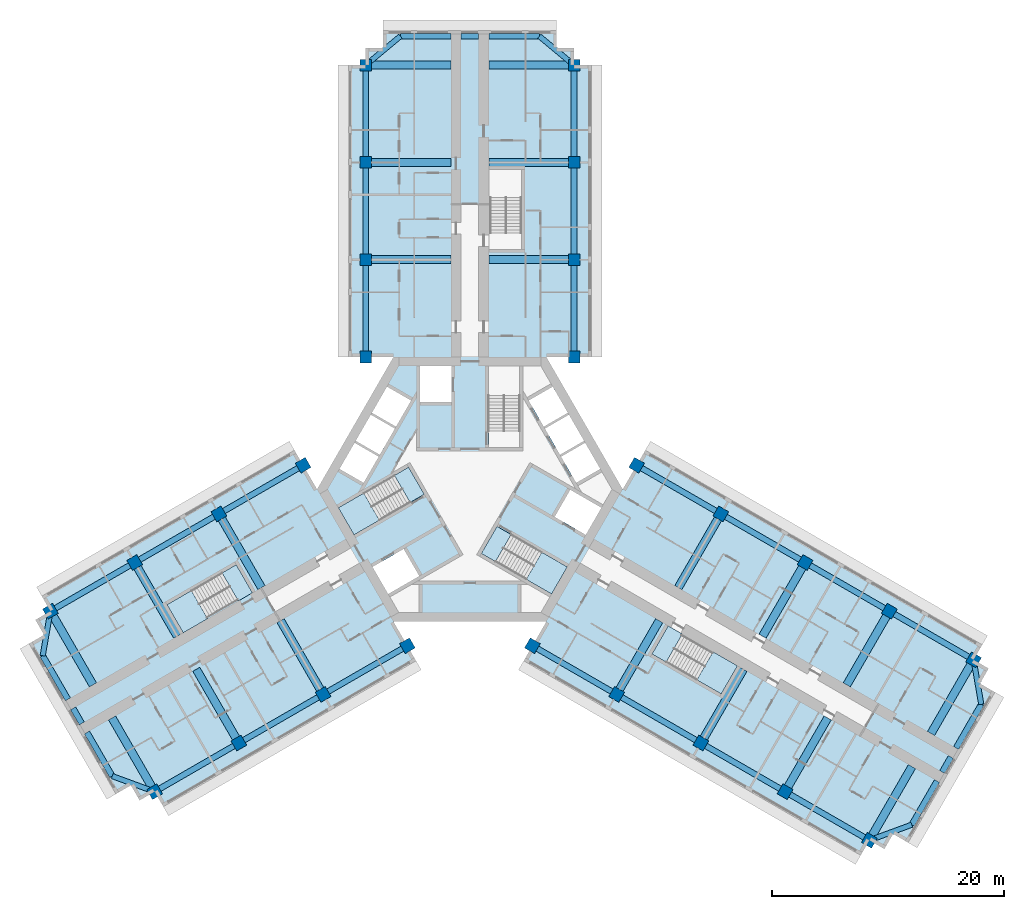
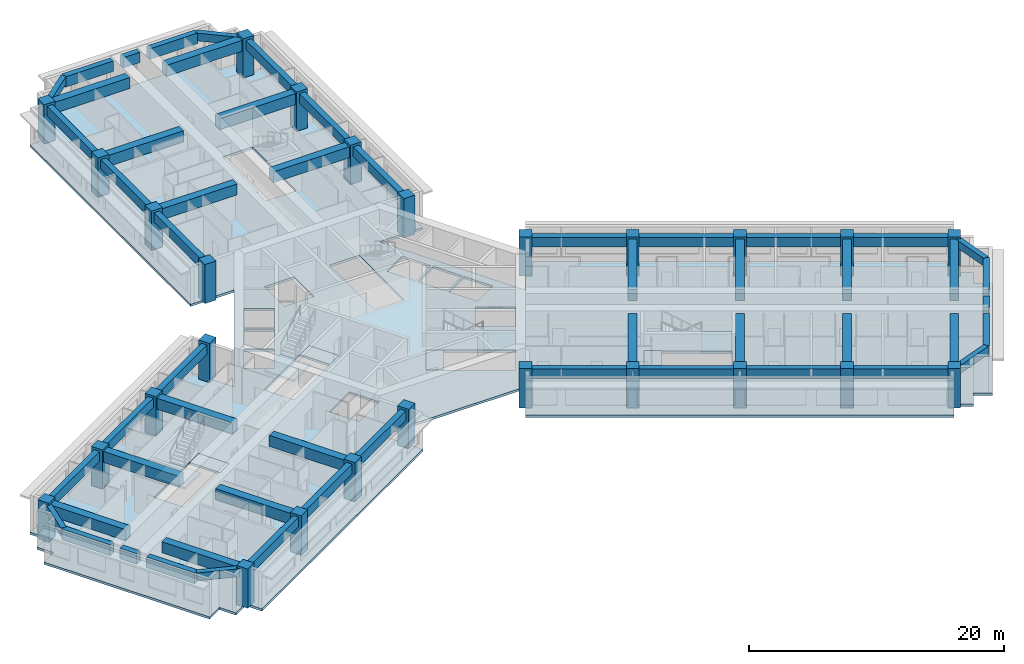
# One storey, part 1 of 13: 55 beams, 26 columns, 9 slabs, 4 elements without a shape of their own.
"""IFC4 building model written with IfcOpenShell, lengths in metres."""

from ifc_helpers import new_model, si_unit, direction, frame, origin, origin_2d, place, context, subcontext, project, spatial, polyline, rectangle, outline, extrude, material, layer, layer_set, material_profile, profile_set, type_object, element, aggregate, save


model = new_model("IFC4")

# Units and contexts
model_context = context("Model", 3, precision=1e-05, world=origin(), true_north=direction((0.0, 1.0)))
body_context = subcontext(model_context, "Body", "Model", "MODEL_VIEW")
ifc_project = project(units=[si_unit("LENGTHUNIT", "METRE"), si_unit("AREAUNIT", "SQUARE_METRE"), si_unit("VOLUMEUNIT", "CUBIC_METRE"), si_unit("PLANEANGLEUNIT", "RADIAN"), si_unit("MASSUNIT", "GRAM", prefix="KILO")], contexts=[model_context])

# Site, building, storey
site_placement = place(None, origin())
site = spatial("IfcSite", under=ifc_project, at=site_placement, CompositionType="ELEMENT")
building_placement = place(site_placement, origin())
building = spatial("IfcBuilding", under=site, at=building_placement, Name="Impinga Residences", CompositionType="ELEMENT")
storey_placement = place(building_placement, frame((0.0, 0.0, 139.75)))
storey = spatial("IfcBuildingStorey", under=building, at=storey_placement, Name="L34", CompositionType="ELEMENT", Elevation=139.75)

# Columns
ifc_material_1 = material(Name="Concrete C60/75", Category="concrete")
ifc_material_profile_1 = material_profile(ifc_material_1, rectangle(XDim=1.0, YDim=1.0, at=origin_2d()), Name="RC 1000x1000")
ifc_profile_set_1 = profile_set([ifc_material_profile_1], Name="Concrete C60/75")
column_type = type_object("IfcColumnType", Name="C3 1000x1000 column", PredefinedType="COLUMN", material=ifc_profile_set_1)
for number, where, z_axis, x_axis, name in (
    (1, (-9.0, 11.431640625, 0.0), (0.0, 0.0, 1.0), (1.0, 0.0, 0.0), "Column C3 N1/NA L34"),
    (2, (9.0, 11.431640625, 0.0), (0.0, 0.0, 1.0), (1.0, 0.0, 0.0), "Column C3 N1/NF L34"),
    (3, (-9.0, 19.83154296875, 0.0), (0.0, 0.0, 1.0), (1.0, 0.0, 0.0), "Column C3 N2/NA L34"),
    (4, (9.0, 19.83154296875, 0.0), (0.0, 0.0, 1.0), (1.0, 0.0, 0.0), "Column C3 N2/NF L34"),
    (5, (-9.0, 28.2314453125, 0.0), (0.0, 0.0, 1.0), (1.0, 0.0, 0.0), "Column C3 N3/NA L34"),
    (6, (9.0, 28.2314453125, 0.0), (0.0, 0.0, 1.0), (1.0, 0.0, 0.0), "Column C3 N3/NF L34"),
    (7, (-9.0, 36.631591796875, 0.0), (0.0, 0.0, 1.0), (1.0, 0.0, 0.0), "Column C3 N4/NA L34"),
    (8, (9.0, 36.631591796875, 0.0), (0.0, 0.0, 1.0), (1.0, 0.0, 0.0), "Column C3 N4/NF L34"),
    (9, (-5.39990234375, -13.510009765625, 0.0), (0.0, 0.0, 1.0), (-0.5, 0.866025403784, 0.0), "Column C3 W1/WA L34"),
    (10, (-14.39990234375, 2.078369140625, 0.0), (0.0, 0.0, 1.0), (-0.5, 0.866025403784, 0.0), "Column C3 W1/WF L34"),
    (11, (-12.674560546875, -17.7099609375, 0.0), (0.0, 0.0, 1.0), (-0.5, 0.866025403784, 0.0), "Column C3 W2/WA L34"),
    (12, (-21.674560546875, -2.12158203125, 0.0), (0.0, 0.0, 1.0), (-0.5, 0.866025403784, 0.0), "Column C3 W2/WF L34"),
    (13, (-19.94921875, -21.909912109375, 0.0), (0.0, 0.0, 1.0), (-0.5, 0.866025403784, 0.0), "Column C3 W3/WA L34"),
    (14, (-28.94921875, -6.321533203125, 0.0), (0.0, 0.0, 1.0), (-0.5, 0.866025403784, 0.0), "Column C3 W3/WF L34"),
    (15, (-27.223876953125, -26.110107421875, 0.0), (0.0, 0.0, 1.0), (-0.5, 0.866025403784, 0.0), "Column C3 W4/WA L34"),
    (16, (-36.223876953125, -10.521484375, 0.0), (0.0, 0.0, 1.0), (-0.5, 0.866025403784, 0.0), "Column C3 W4/WF L34"),
    (17, (14.39990234375, 2.078369140625, 0.0), (0.0, 0.0, 1.0), (-0.5, -0.866025403784, 0.0), "Column C3 E1/EA L34"),
    (18, (5.39990234375, -13.510009765625, 0.0), (0.0, 0.0, 1.0), (-0.5, -0.866025403784, 0.0), "Column C3 E1/EF L34"),
    (19, (21.674560546875, -2.12158203125, 0.0), (0.0, 0.0, 1.0), (-0.5, -0.866025403784, 0.0), "Column C3 E2/EA L34"),
    (20, (12.674560546875, -17.7099609375, 0.0), (0.0, 0.0, 1.0), (-0.5, -0.866025403784, 0.0), "Column C3 E2/EF L34"),
    (21, (28.94921875, -6.321533203125, 0.0), (0.0, 0.0, 1.0), (-0.5, -0.866025403784, 0.0), "Column C3 E3/EA L34"),
    (22, (19.94921875, -21.909912109375, 0.0), (0.0, 0.0, 1.0), (-0.5, -0.866025403784, 0.0), "Column C3 E3/EF L34"),
    (23, (36.223876953125, -10.521484375, 0.0), (0.0, 0.0, 1.0), (-0.5, -0.866025403784, 0.0), "Column C3 E4/EA L34"),
    (24, (27.223876953125, -26.110107421875, 0.0), (0.0, 0.0, 1.0), (-0.5, -0.866025403784, 0.0), "Column C3 E4/EF L34"),
    (25, (43.49853515625, -14.721435546875, 0.0), (0.0, 0.0, 1.0), (-0.5, -0.866025403784, 0.0), "Column C3 E5/EA L34"),
    (26, (34.49853515625, -30.31005859375, 0.0), (0.0, 0.0, 1.0), (-0.5, -0.866025403784, 0.0), "Column C3 E5/EF L34"),
):
    element("IfcColumn", number, at=place(storey_placement, frame(where, z_axis=z_axis, x_axis=x_axis)), inside=storey, type_object=column_type, Name=name, PredefinedType="COLUMN", context=body_context, shape_type="SweptSolid", body=[
        extrude(rectangle(XDim=1.0, YDim=1.0, at=origin_2d()), origin(), (0.0, 0.0, 1.0), 3.75),
    ])

# Beams
ifc_material_profile_2 = material_profile(ifc_material_1, rectangle(XDim=0.449951171875, YDim=0.75, at=origin_2d()), Name="RC 450x750")
ifc_profile_set_2 = profile_set([ifc_material_profile_2], Name="Concrete C60/75")
beam_type_1 = type_object("IfcBeamType", Name="CB1 450x750 wing end cantilever beam", PredefinedType="BEAM", material=ifc_profile_set_2)
for number, where, z_axis, x_axis, name in (
    (27, (-9.0, 36.631591796875, 3.155029296875), (0.768221279597, 0.640184399664, 0.0), (-0.640184399664, 0.768221279597, 0.0), "Beam CB1 NB N4-NX level L35"),
    (28, (9.0, 36.631591796875, 3.155029296875), (-0.768221279597, 0.640184399664, 0.0), (-0.640184399664, -0.768221279597, 0.0), "Beam CB1 NE N4-NX level L35"),
    (29, (-27.223876953125, -26.110107421875, 3.155029296875), (-0.938520178725, 0.345224382289, 0.0), (-0.345224382289, -0.938520178725, 0.0), "Beam CB1 WB W4-WX level L35"),
):
    element("IfcBeam", number, at=place(storey_placement, frame(where, z_axis=z_axis, x_axis=x_axis)), inside=storey, type_object=beam_type_1, Name=name, PredefinedType="BEAM", context=body_context, shape_type="SweptSolid", body=[
        extrude(rectangle(XDim=0.449951171875, YDim=0.75, at=origin_2d()), origin(), (0.0, 0.0, 1.0), 3.905029296875),
    ])
for number, where, z_axis, x_axis, name in (
    (30, (-36.223876953125, -10.521484375, 3.155029296875), (-0.170296298948, -0.985392901621, 0.0), (0.985392901621, -0.170296298948, 0.0), "Beam CB1 WE W4-WX level L35"),
    (31, (43.49853515625, -14.721435546875, 3.155029296875), (0.170296298948, -0.985392901621, 0.0), (0.985392901621, 0.170296298948, 0.0), "Beam CB1 EB E5-EX level L35"),
):
    element("IfcBeam", number, at=place(storey_placement, frame(where, z_axis=z_axis, x_axis=x_axis)), inside=storey, type_object=beam_type_1, Name=name, PredefinedType="BEAM", context=body_context, shape_type="SweptSolid", body=[
        extrude(rectangle(XDim=0.449951171875, YDim=0.75, at=origin_2d()), origin(), (0.0, 0.0, 1.0), 3.9052734375),
    ])
beam_1_placement = place(storey_placement, frame((34.49853515625, -30.31005859375, 3.155029296875), z_axis=(0.938520178725, 0.345224382289, 0.0), x_axis=(-0.345224382289, 0.938520178725, 0.0)))
element("IfcBeam", 32, at=beam_1_placement, inside=storey, type_object=beam_type_1, Name="Beam CB1 EE E5-EX level L35", PredefinedType="BEAM", context=body_context, shape_type="SweptSolid", body=[
    extrude(rectangle(XDim=0.449951171875, YDim=0.75, at=origin_2d()), origin(), (0.0, 0.0, 1.0), 3.905029296875),
])
ifc_material_profile_3 = material_profile(ifc_material_1, rectangle(XDim=0.699951171875, YDim=1.050048828125, at=origin_2d()), Name="RC 700x1050")
ifc_profile_set_3 = profile_set([ifc_material_profile_3], Name="Concrete C60/75")
beam_type_2 = type_object("IfcBeamType", Name="CG1 700x1050 cross girder on a wing bay line", PredefinedType="BEAM", material=ifc_profile_set_3)
for number, where, z_axis, x_axis, name in (
    (33, (-1.64990234375, 19.83154296875, 3.0048828125), (-1.0, 0.0, 0.0), (0.0, -1.0, 0.0), "Beam CG1 N2 NC/NA level L35"),
    (34, (-1.64990234375, 28.2314453125, 3.0048828125), (-1.0, 0.0, 0.0), (0.0, -1.0, 0.0), "Beam CG1 N3 NC/NA level L35"),
    (35, (-1.64990234375, 36.631591796875, 3.0048828125), (-1.0, 0.0, 0.0), (0.0, -1.0, 0.0), "Beam CG1 N4 NC/NA level L35"),
    (36, (1.64990234375, 19.83154296875, 3.0048828125), (1.0, 0.0, 0.0), (0.0, 1.0, 0.0), "Beam CG1 N2 NC/NF level L35"),
    (37, (1.64990234375, 28.2314453125, 3.0048828125), (1.0, 0.0, 0.0), (0.0, 1.0, 0.0), "Beam CG1 N3 NC/NF level L35"),
    (38, (1.64990234375, 36.631591796875, 3.0048828125), (1.0, 0.0, 0.0), (0.0, 1.0, 0.0), "Beam CG1 N4 NC/NF level L35"),
    (39, (-16.349609375, -11.3447265625, 3.0048828125), (0.500008066151, -0.86602074674, 0.0), (0.86602074674, 0.500008066151, 0.0), "Beam CG1 W2 WC/WA level L35"),
    (40, (-23.624267578125, -15.544677734375, 3.0048828125), (0.500008066151, -0.86602074674, 0.0), (0.86602074674, 0.500008066151, 0.0), "Beam CG1 W3 WC/WA level L35"),
    (41, (-30.89892578125, -19.74462890625, 3.0048828125), (0.499993683172, -0.866029050776, 0.0), (0.866029050776, 0.499993683172, 0.0), "Beam CG1 W4 WC/WA level L35"),
    (42, (-17.99951171875, -8.48681640625, 3.0048828125), (-0.500008066151, 0.86602074674, 0.0), (-0.86602074674, -0.500008066151, 0.0), "Beam CG1 W2 WC/WF level L35"),
    (43, (-25.274169921875, -12.686767578125, 3.0048828125), (-0.500008066151, 0.86602074674, 0.0), (-0.86602074674, -0.500008066151, 0.0), "Beam CG1 W3 WC/WF level L35"),
    (44, (-32.548828125, -16.88671875, 3.0048828125), (-0.500008066151, 0.86602074674, 0.0), (-0.86602074674, -0.500008066151, 0.0), "Beam CG1 W4 WC/WF level L35"),
    (45, (17.99951171875, -8.48681640625, 3.0048828125), (0.500008066151, 0.86602074674, 0.0), (-0.86602074674, 0.500008066151, 0.0), "Beam CG1 E2 EC/EA level L35"),
    (46, (25.274169921875, -12.686767578125, 3.0048828125), (0.500008066151, 0.86602074674, 0.0), (-0.86602074674, 0.500008066151, 0.0), "Beam CG1 E3 EC/EA level L35"),
    (47, (32.548828125, -16.88671875, 3.0048828125), (0.500008066151, 0.86602074674, 0.0), (-0.86602074674, 0.500008066151, 0.0), "Beam CG1 E4 EC/EA level L35"),
    (48, (39.823486328125, -21.0869140625, 3.0048828125), (0.499993683172, 0.866029050776, 0.0), (-0.866029050776, 0.499993683172, 0.0), "Beam CG1 E5 EC/EA level L35"),
    (49, (16.349609375, -11.3447265625, 3.0048828125), (-0.500008066151, -0.86602074674, 0.0), (0.86602074674, -0.500008066151, 0.0), "Beam CG1 E2 EC/EF level L35"),
    (50, (23.624267578125, -15.544677734375, 3.0048828125), (-0.500008066151, -0.86602074674, 0.0), (0.86602074674, -0.500008066151, 0.0), "Beam CG1 E3 EC/EF level L35"),
    (51, (30.89892578125, -19.74462890625, 3.0048828125), (-0.499993683172, -0.866029050776, 0.0), (0.866029050776, -0.499993683172, 0.0), "Beam CG1 E4 EC/EF level L35"),
):
    element("IfcBeam", number, at=place(storey_placement, frame(where, z_axis=z_axis, x_axis=x_axis)), inside=storey, type_object=beam_type_2, Name=name, PredefinedType="BEAM", context=body_context, shape_type="SweptSolid", body=[
        extrude(rectangle(XDim=0.699951171875, YDim=1.050048828125, at=origin_2d()), origin(), (0.0, 0.0, 1.0), 7.35009765625),
    ])
beam_2_placement = place(storey_placement, frame((38.17333984375, -23.94482421875, 3.0048828125), z_axis=(-0.499983153418, -0.866035129944, 0.0), x_axis=(0.866035129944, -0.499983153418, 0.0)))
element("IfcBeam", 52, at=beam_2_placement, inside=storey, type_object=beam_type_2, Name="Beam CG1 E5 EC/EF level L35", PredefinedType="BEAM", context=body_context, shape_type="SweptSolid", body=[
    extrude(rectangle(XDim=0.699951171875, YDim=1.050048828125, at=origin_2d()), origin(), (0.0, 0.0, 1.0), 7.349853515625),
])
ifc_material_profile_4 = material_profile(ifc_material_1, rectangle(XDim=0.5, YDim=1.0, at=origin_2d()), Name="RC 500x1000")
ifc_profile_set_4 = profile_set([ifc_material_profile_4], Name="Concrete C60/75")
beam_type_3 = type_object("IfcBeamType", Name="EB1 500x1000 wing end beam", PredefinedType="BEAM", material=ifc_profile_set_4)
beam_3_placement = place(storey_placement, frame((-6.0, 39.131591796875, 3.030029296875), z_axis=(1.0, 0.0, 0.0), x_axis=(0.0, 1.0, 0.0)))
element("IfcBeam", 53, at=beam_3_placement, inside=storey, type_object=beam_type_3, Name="Beam EB1 NX3 level L35", PredefinedType="BEAM", context=body_context, shape_type="SweptSolid", body=[
    extrude(rectangle(XDim=0.5, YDim=1.0, at=origin_2d()), origin(), (0.0, 0.0, 1.0), 4.35009765625),
])
beam_4_placement = place(storey_placement, frame((-0.75, 39.131591796875, 3.030029296875), z_axis=(1.0, 0.0, 0.0), x_axis=(0.0, 1.0, 0.0)))
element("IfcBeam", 54, at=beam_4_placement, inside=storey, type_object=beam_type_3, Name="Beam EB1 NX3 level L35", PredefinedType="BEAM", context=body_context, shape_type="SweptSolid", body=[
    extrude(rectangle(XDim=0.5, YDim=1.0, at=origin_2d()), origin(), (0.0, 0.0, 1.0), 1.5),
])
for number, where, z_axis, x_axis, name in (
    (55, (1.64990234375, 39.131591796875, 3.030029296875), (1.0, 0.0, 0.0), (0.0, 1.0, 0.0), "Beam EB1 NX3 level L35"),
    (56, (-30.888916015625, -24.761962890625, 3.030029296875), (-0.499996127374, 0.866027639635, 0.0), (-0.866027639635, -0.499996127374, 0.0), "Beam EB1 WX3 level L35"),
):
    element("IfcBeam", number, at=place(storey_placement, frame(where, z_axis=z_axis, x_axis=x_axis)), inside=storey, type_object=beam_type_3, Name=name, PredefinedType="BEAM", context=body_context, shape_type="SweptSolid", body=[
        extrude(rectangle(XDim=0.5, YDim=1.0, at=origin_2d()), origin(), (0.0, 0.0, 1.0), 4.35009765625),
    ])
beam_5_placement = place(storey_placement, frame((-33.513916015625, -20.21533203125, 3.030029296875), z_axis=(-0.499990139034, 0.866031096941, 0.0), x_axis=(-0.866031096941, -0.499990139034, 0.0)))
element("IfcBeam", 57, at=beam_5_placement, inside=storey, type_object=beam_type_3, Name="Beam EB1 WX3 level L35", PredefinedType="BEAM", context=body_context, shape_type="SweptSolid", body=[
    extrude(rectangle(XDim=0.5, YDim=1.0, at=origin_2d()), origin(), (0.0, 0.0, 1.0), 1.5),
])
beam_6_placement = place(storey_placement, frame((-34.7138671875, -18.13671875, 3.030029296875), z_axis=(-0.500020430026, 0.866013608182, 0.0), x_axis=(-0.866013608182, -0.500020430026, 0.0)))
element("IfcBeam", 58, at=beam_6_placement, inside=storey, type_object=beam_type_3, Name="Beam EB1 WX3 level L35", PredefinedType="BEAM", context=body_context, shape_type="SweptSolid", body=[
    extrude(rectangle(XDim=0.5, YDim=1.0, at=origin_2d()), origin(), (0.0, 0.0, 1.0), 4.349853515625),
])
beam_7_placement = place(storey_placement, frame((44.16357421875, -18.569580078125, 3.030029296875), z_axis=(-0.499996127374, -0.866027639635, 0.0), x_axis=(0.866027639635, -0.499996127374, 0.0)))
element("IfcBeam", 59, at=beam_7_placement, inside=storey, type_object=beam_type_3, Name="Beam EB1 EX4 level L35", PredefinedType="BEAM", context=body_context, shape_type="SweptSolid", body=[
    extrude(rectangle(XDim=0.5, YDim=1.0, at=origin_2d()), origin(), (0.0, 0.0, 1.0), 4.35009765625),
])
beam_8_placement = place(storey_placement, frame((41.53857421875, -23.1162109375, 3.030029296875), z_axis=(-0.499990139034, -0.866031096941, 0.0), x_axis=(0.866031096941, -0.499990139034, 0.0)))
element("IfcBeam", 60, at=beam_8_placement, inside=storey, type_object=beam_type_3, Name="Beam EB1 EX4 level L35", PredefinedType="BEAM", context=body_context, shape_type="SweptSolid", body=[
    extrude(rectangle(XDim=0.5, YDim=1.0, at=origin_2d()), origin(), (0.0, 0.0, 1.0), 1.5),
])
beam_9_placement = place(storey_placement, frame((40.338623046875, -25.19482421875, 3.030029296875), z_axis=(-0.500020430026, -0.866013608182, 0.0), x_axis=(0.866013608182, -0.500020430026, 0.0)))
element("IfcBeam", 61, at=beam_9_placement, inside=storey, type_object=beam_type_3, Name="Beam EB1 EX4 level L35", PredefinedType="BEAM", context=body_context, shape_type="SweptSolid", body=[
    extrude(rectangle(XDim=0.5, YDim=1.0, at=origin_2d()), origin(), (0.0, 0.0, 1.0), 4.349853515625),
])
ifc_material_profile_5 = material_profile(ifc_material_1, rectangle(XDim=0.5, YDim=0.89990234375, at=origin_2d()), Name="RC 500x900")
ifc_profile_set_5 = profile_set([ifc_material_profile_5], Name="Concrete C60/75")
beam_type_4 = type_object("IfcBeamType", Name="SB1 500x900 perimeter spandrel beam", PredefinedType="SPANDREL", material=ifc_profile_set_5)
for number, where, z_axis, x_axis, name in (
    (62, (-9.0, 11.431640625, 3.080078125), (0.0, 1.0, 0.0), (-1.0, 0.0, 0.0), "Beam SB1 NA N1-N2 level L35"),
    (63, (-9.0, 19.83154296875, 3.080078125), (0.0, 1.0, 0.0), (-1.0, 0.0, 0.0), "Beam SB1 NA N2-N3 level L35"),
):
    element("IfcBeam", number, at=place(storey_placement, frame(where, z_axis=z_axis, x_axis=x_axis)), inside=storey, type_object=beam_type_4, Name=name, PredefinedType="SPANDREL", context=body_context, shape_type="SweptSolid", body=[
        extrude(rectangle(XDim=0.5, YDim=0.89990234375, at=origin_2d()), origin(), (0.0, 0.0, 1.0), 8.39990234375),
    ])
beam_10_placement = place(storey_placement, frame((-9.0, 28.2314453125, 3.080078125), z_axis=(0.0, 1.0, 0.0), x_axis=(-1.0, 0.0, 0.0)))
element("IfcBeam", 64, at=beam_10_placement, inside=storey, type_object=beam_type_4, Name="Beam SB1 NA N3-N4 level L35", PredefinedType="SPANDREL", context=body_context, shape_type="SweptSolid", body=[
    extrude(rectangle(XDim=0.5, YDim=0.89990234375, at=origin_2d()), origin(), (0.0, 0.0, 1.0), 8.400146484375),
])
for number, where, z_axis, x_axis, name in (
    (65, (9.0, 11.431640625, 3.080078125), (0.0, 1.0, 0.0), (-1.0, 0.0, 0.0), "Beam SB1 NF N1-N2 level L35"),
    (66, (9.0, 19.83154296875, 3.080078125), (0.0, 1.0, 0.0), (-1.0, 0.0, 0.0), "Beam SB1 NF N2-N3 level L35"),
):
    element("IfcBeam", number, at=place(storey_placement, frame(where, z_axis=z_axis, x_axis=x_axis)), inside=storey, type_object=beam_type_4, Name=name, PredefinedType="SPANDREL", context=body_context, shape_type="SweptSolid", body=[
        extrude(rectangle(XDim=0.5, YDim=0.89990234375, at=origin_2d()), origin(), (0.0, 0.0, 1.0), 8.39990234375),
    ])
beam_11_placement = place(storey_placement, frame((9.0, 28.2314453125, 3.080078125), z_axis=(0.0, 1.0, 0.0), x_axis=(-1.0, 0.0, 0.0)))
element("IfcBeam", 67, at=beam_11_placement, inside=storey, type_object=beam_type_4, Name="Beam SB1 NF N3-N4 level L35", PredefinedType="SPANDREL", context=body_context, shape_type="SweptSolid", body=[
    extrude(rectangle(XDim=0.5, YDim=0.89990234375, at=origin_2d()), origin(), (0.0, 0.0, 1.0), 8.400146484375),
])
for number, where, z_axis, x_axis, name in (
    (68, (-5.39990234375, -13.510009765625, 3.080078125), (-0.86602925447, -0.499993330357, 0.0), (0.499993330357, -0.86602925447, 0.0), "Beam SB1 WA W1-W2 level L35"),
    (69, (-12.674560546875, -17.7099609375, 3.080078125), (-0.86602925447, -0.499993330357, 0.0), (0.499993330357, -0.86602925447, 0.0), "Beam SB1 WA W2-W3 level L35"),
):
    element("IfcBeam", number, at=place(storey_placement, frame(where, z_axis=z_axis, x_axis=x_axis)), inside=storey, type_object=beam_type_4, Name=name, PredefinedType="SPANDREL", context=body_context, shape_type="SweptSolid", body=[
        extrude(rectangle(XDim=0.5, YDim=0.89990234375, at=origin_2d()), origin(), (0.0, 0.0, 1.0), 8.39990234375),
    ])
beam_12_placement = place(storey_placement, frame((-19.94921875, -21.909912109375, 3.080078125), z_axis=(-0.866016669275, -0.500015128309, 0.0), x_axis=(0.500015128309, -0.866016669275, 0.0)))
element("IfcBeam", 70, at=beam_12_placement, inside=storey, type_object=beam_type_4, Name="Beam SB1 WA W3-W4 level L35", PredefinedType="SPANDREL", context=body_context, shape_type="SweptSolid", body=[
    extrude(rectangle(XDim=0.5, YDim=0.89990234375, at=origin_2d()), origin(), (0.0, 0.0, 1.0), 8.400146484375),
])
for number, where, z_axis, x_axis, name in (
    (71, (-14.39990234375, 2.078369140625, 3.080078125), (-0.86602925447, -0.499993330357, 0.0), (0.499993330357, -0.86602925447, 0.0), "Beam SB1 WF W1-W2 level L35"),
    (72, (-21.674560546875, -2.12158203125, 3.080078125), (-0.86602925447, -0.499993330357, 0.0), (0.499993330357, -0.86602925447, 0.0), "Beam SB1 WF W2-W3 level L35"),
    (73, (-28.94921875, -6.321533203125, 3.080078125), (-0.86602925447, -0.499993330357, 0.0), (0.499993330357, -0.86602925447, 0.0), "Beam SB1 WF W3-W4 level L35"),
    (74, (14.39990234375, 2.078369140625, 3.080078125), (0.86602925447, -0.499993330357, 0.0), (0.499993330357, 0.86602925447, 0.0), "Beam SB1 EA E1-E2 level L35"),
    (75, (21.674560546875, -2.12158203125, 3.080078125), (0.86602925447, -0.499993330357, 0.0), (0.499993330357, 0.86602925447, 0.0), "Beam SB1 EA E2-E3 level L35"),
    (76, (28.94921875, -6.321533203125, 3.080078125), (0.86602925447, -0.499993330357, 0.0), (0.499993330357, 0.86602925447, 0.0), "Beam SB1 EA E3-E4 level L35"),
    (77, (36.223876953125, -10.521484375, 3.080078125), (0.86602925447, -0.499993330357, 0.0), (0.499993330357, 0.86602925447, 0.0), "Beam SB1 EA E4-E5 level L35"),
    (78, (5.39990234375, -13.510009765625, 3.080078125), (0.86602925447, -0.499993330357, 0.0), (0.499993330357, 0.86602925447, 0.0), "Beam SB1 EF E1-E2 level L35"),
    (79, (12.674560546875, -17.7099609375, 3.080078125), (0.86602925447, -0.499993330357, 0.0), (0.499993330357, 0.86602925447, 0.0), "Beam SB1 EF E2-E3 level L35"),
):
    element("IfcBeam", number, at=place(storey_placement, frame(where, z_axis=z_axis, x_axis=x_axis)), inside=storey, type_object=beam_type_4, Name=name, PredefinedType="SPANDREL", context=body_context, shape_type="SweptSolid", body=[
        extrude(rectangle(XDim=0.5, YDim=0.89990234375, at=origin_2d()), origin(), (0.0, 0.0, 1.0), 8.39990234375),
    ])
beam_13_placement = place(storey_placement, frame((19.94921875, -21.909912109375, 3.080078125), z_axis=(0.866016669275, -0.500015128309, 0.0), x_axis=(0.500015128309, 0.866016669275, 0.0)))
element("IfcBeam", 80, at=beam_13_placement, inside=storey, type_object=beam_type_4, Name="Beam SB1 EF E3-E4 level L35", PredefinedType="SPANDREL", context=body_context, shape_type="SweptSolid", body=[
    extrude(rectangle(XDim=0.5, YDim=0.89990234375, at=origin_2d()), origin(), (0.0, 0.0, 1.0), 8.400146484375),
])
beam_14_placement = place(storey_placement, frame((27.223876953125, -26.110107421875, 3.080078125), z_axis=(0.86602925447, -0.499993330357, 0.0), x_axis=(0.499993330357, 0.86602925447, 0.0)))
element("IfcBeam", 81, at=beam_14_placement, inside=storey, type_object=beam_type_4, Name="Beam SB1 EF E4-E5 level L35", PredefinedType="SPANDREL", context=body_context, shape_type="SweptSolid", body=[
    extrude(rectangle(XDim=0.5, YDim=0.89990234375, at=origin_2d()), origin(), (0.0, 0.0, 1.0), 8.39990234375),
])

# Slab
ifc_layer_1 = layer(ifc_material_1, 0.219970703125)
ifc_layer_set_1 = layer_set([ifc_layer_1], Name="Concrete C60/75")
slab_type_1 = type_object("IfcSlabType", Name="FS1 tower floor slab 220", PredefinedType="FLOOR", material=ifc_layer_set_1)
slab_1_placement = place(storey_placement, frame((0.0, 0.0, -0.219970703125)))
element("IfcSlab", 82, at=slab_1_placement, inside=storey, type_object=slab_type_1, Name="Floor slab FS1 L34", PredefinedType="FLOOR", context=body_context, shape_type="SweptSolid", body=[
    extrude(outline(polyline([(43.49853515625, -14.721435546875), (44.797607421875, -15.471435546875), (44.047607421875, -16.7705078125), (45.346435546875, -17.5205078125), (37.846435546875, -30.510986328125), (36.547607421875, -29.760986328125), (35.797607421875, -31.06005859375), (34.49853515625, -30.31005859375), (33.74853515625, -31.609130859375), (4.64990234375, -14.80908203125), (9.900146484375, -5.7158203125), (6.60009765625, -11.431640625), (-6.60009765625, -11.431640625), (-9.900146484375, -5.7158203125), (-4.64990234375, -14.80908203125), (-26.473876953125, -27.408935546875), (-27.223876953125, -26.110107421875), (-28.52294921875, -26.860107421875), (-29.27294921875, -25.56103515625), (-30.572021484375, -26.31103515625), (-38.072021484375, -13.320556640625), (-36.77294921875, -12.570556640625), (-37.52294921875, -11.271484375), (-36.223876953125, -10.521484375), (-36.973876953125, -9.222412109375), (-15.14990234375, 3.37744140625), (-13.199951171875, 0.0), (-6.60009765625, 11.431640625), (-10.5, 11.431640625), (-10.5, 36.631591796875), (-9.0, 36.631591796875), (-9.0, 38.131591796875), (-7.5, 38.131591796875), (-7.5, 39.631591796875), (7.5, 39.631591796875), (7.5, 38.131591796875), (9.0, 38.131591796875), (9.0, 36.631591796875), (10.5, 36.631591796875), (10.5, 11.431640625), (6.60009765625, 11.431640625), (13.199951171875, 0.0), (15.14990234375, 3.37744140625), (44.24853515625, -13.422607421875), (43.49853515625, -14.721435546875)]), holes=[polyline([(-18.779052734375, -8.936767578125), (-18.8291015625, -8.850341796875), (-18.8291015625, -8.850341796875), (-20.178955078125, -6.511962890625), (-21.391357421875, -7.2119140625), (-21.391357421875, -7.2119140625), (-26.154541015625, -9.9619140625), (-24.8046875, -12.30029296875), (-20.04150390625, -9.55029296875), (-19.991455078125, -9.63671875), (-18.779052734375, -8.936767578125)]), polyline([(-4.37109375, -7.489013671875), (-5.72119140625, -5.150634765625), (-8.4072265625, -6.701416015625), (-7.05712890625, -9.039794921875), (-4.37109375, -7.489013671875)]), polyline([(-3.943603515625, -0.429443359375), (-5.293701171875, 1.908935546875), (-11.357177734375, -1.591796875), (-10.007080078125, -3.93017578125), (-3.943603515625, -0.429443359375)]), polyline([(-7.878662109375, 2.816650390625), (-9.957275390625, 4.016845703125), (-11.257080078125, 1.76513671875), (-9.1787109375, 0.56494140625), (-7.878662109375, 2.816650390625)]), polyline([(-6.478759765625, 5.24169921875), (-8.55712890625, 6.441650390625), (-9.857177734375, 4.18994140625), (-7.77880859375, 2.989990234375), (-6.478759765625, 5.24169921875)]), polyline([(4.300048828125, 3.6298828125), (4.300048828125, 10.631591796875), (1.60009765625, 10.631591796875), (1.60009765625, 3.6298828125), (4.300048828125, 3.6298828125)]), polyline([(-6.378662109375, 5.414794921875), (-5.07861328125, 7.66650390625), (-7.1572265625, 8.866455078125), (-8.457275390625, 6.61474609375), (-6.378662109375, 5.414794921875)]), polyline([(-4.300048828125, 7.530029296875), (-1.60009765625, 7.530029296875), (-1.60009765625, 10.631591796875), (-4.300048828125, 10.631591796875), (-4.300048828125, 7.530029296875)]), polyline([(4.449951171875, 20.7314453125), (4.449951171875, 22.131591796875), (4.449951171875, 27.631591796875), (1.75, 27.631591796875), (1.75, 22.131591796875), (1.64990234375, 22.131591796875), (1.64990234375, 20.7314453125), (1.75, 20.7314453125), (4.449951171875, 20.7314453125)]), polyline([(15.72900390625, -14.219482421875), (21.70458984375, -17.669677734375), (23.0546875, -15.331298828125), (18.29150390625, -12.581298828125), (18.341552734375, -12.49462890625), (17.129150390625, -11.794677734375), (15.72900390625, -14.219482421875)]), polyline([(2.34375, -3.20068359375), (0.99365234375, -5.538818359375), (7.05712890625, -9.039794921875), (8.4072265625, -6.701416015625), (2.34375, -3.20068359375)]), polyline([(7.3212890625, -2.37939453125), (10.007080078125, -3.93017578125), (11.357177734375, -1.591796875), (8.671142578125, -0.041015625), (7.3212890625, -2.37939453125)]), polyline([(7.878662109375, 2.816650390625), (9.1787109375, 0.56494140625), (11.257080078125, 1.76513671875), (9.957275390625, 4.016845703125), (7.878662109375, 2.816650390625)]), polyline([(6.478759765625, 5.24169921875), (7.77880859375, 2.989990234375), (9.857177734375, 4.18994140625), (8.55712890625, 6.441650390625), (6.478759765625, 5.24169921875)]), polyline([(6.378662109375, 5.414794921875), (8.457275390625, 6.61474609375), (7.1572265625, 8.866455078125), (5.07861328125, 7.66650390625), (6.378662109375, 5.414794921875)])]), origin(), (0.0, 0.0, 1.0), 0.219970703125),
])

# Stair, slabs
ifc_material_2 = material(Name="Concrete C40/50", Category="concrete")
stair_type_1 = type_object("IfcStairType", Name="STR core stair 3750 storey, 24 risers", PredefinedType="HALF_TURN_STAIR", material=ifc_material_2)
stair_1_placement = place(storey_placement, origin())
stair_1 = element("IfcStair", 83, at=stair_1_placement, inside=storey, type_object=stair_type_1, Name="Stair ST2 L34", PredefinedType="HALF_TURN_STAIR")
ifc_layer_2 = layer(ifc_material_2, 0.199951171875)
ifc_layer_set_2 = layer_set([ifc_layer_2], Name="Concrete C40/50")
slab_type_2 = type_object("IfcSlabType", Name="LS1 stair landing 200", PredefinedType="LANDING", material=ifc_layer_set_2)
slab_2_placement = place(storey_placement, frame((0.0, 0.0, -0.199951171875)))
slab_2 = element("IfcSlab", 84, at=slab_2_placement, type_object=slab_type_2, Name="ST2 landing 1", PredefinedType="LANDING", context=body_context, shape_type="SweptSolid", body=[
    extrude(outline(polyline([(-3.943603515625, -0.429443359375), (-5.293701171875, 1.908935546875), (-6.5146484375, 1.203857421875), (-5.164794921875, -1.13427734375), (-3.943603515625, -0.429443359375)])), origin(), (0.0, 0.0, 1.0), 0.199951171875),
])
slab_3_placement = place(storey_placement, frame((0.0, 0.0, 1.675048828125)))
slab_3 = element("IfcSlab", 85, at=slab_3_placement, type_object=slab_type_2, Name="ST2 landing 2", PredefinedType="LANDING", context=body_context, shape_type="SweptSolid", body=[
    extrude(outline(polyline([(-7.814697265625, -2.664306640625), (-9.164794921875, -0.326171875), (-11.357177734375, -1.591796875), (-10.007080078125, -3.93017578125), (-7.814697265625, -2.664306640625)])), origin(), (0.0, 0.0, 1.0), 0.199951171875),
])
aggregate(stair_1, [slab_2, slab_3])

stair_2_placement = place(storey_placement, origin())
stair_2 = element("IfcStair", 86, at=stair_2_placement, inside=storey, type_object=stair_type_1, Name="Stair ST3 L34", PredefinedType="HALF_TURN_STAIR")
slab_4_placement = place(storey_placement, frame((0.0, 0.0, -0.199951171875)))
slab_4 = element("IfcSlab", 87, at=slab_4_placement, type_object=slab_type_2, Name="ST3 landing 1", PredefinedType="LANDING", context=body_context, shape_type="SweptSolid", body=[
    extrude(outline(polyline([(2.34375, -3.20068359375), (0.99365234375, -5.538818359375), (2.21484375, -6.243896484375), (3.564697265625, -3.90576171875), (2.34375, -3.20068359375)])), origin(), (0.0, 0.0, 1.0), 0.199951171875),
])
slab_5_placement = place(storey_placement, frame((0.0, 0.0, 1.675048828125)))
slab_5 = element("IfcSlab", 88, at=slab_5_placement, type_object=slab_type_2, Name="ST3 landing 2", PredefinedType="LANDING", context=body_context, shape_type="SweptSolid", body=[
    extrude(outline(polyline([(6.21484375, -5.435546875), (4.86474609375, -7.77392578125), (7.05712890625, -9.039794921875), (8.4072265625, -6.701416015625), (6.21484375, -5.435546875)])), origin(), (0.0, 0.0, 1.0), 0.199951171875),
])
aggregate(stair_2, [slab_4, slab_5])

stair_type_2 = type_object("IfcStairType", Name="STR wing stair 3750 storey, 24 risers", PredefinedType="HALF_TURN_STAIR", material=ifc_material_2)
stair_3_placement = place(storey_placement, origin())
stair_3 = element("IfcStair", 89, at=stair_3_placement, inside=storey, type_object=stair_type_2, Name="Stair WS2 L34", PredefinedType="HALF_TURN_STAIR")
slab_6_placement = place(storey_placement, frame((0.0, 0.0, -0.199951171875)))
slab_6 = element("IfcSlab", 90, at=slab_6_placement, type_object=slab_type_2, Name="WS2 landing 1", PredefinedType="LANDING", context=body_context, shape_type="SweptSolid", body=[
    extrude(outline(polyline([(-18.779052734375, -8.936767578125), (-20.178955078125, -6.511962890625), (-21.400146484375, -7.217041015625), (-20.000244140625, -9.641845703125), (-18.779052734375, -8.936767578125)])), origin(), (0.0, 0.0, 1.0), 0.199951171875),
])
slab_7_placement = place(storey_placement, frame((0.0, 0.0, 1.675048828125)))
slab_7 = element("IfcSlab", 91, at=slab_7_placement, type_object=slab_type_2, Name="WS2 landing 2", PredefinedType="LANDING", context=body_context, shape_type="SweptSolid", body=[
    extrude(outline(polyline([(-22.650146484375, -11.171875), (-24.050048828125, -8.7470703125), (-26.154541015625, -9.9619140625), (-24.754638671875, -12.38671875), (-22.650146484375, -11.171875)])), origin(), (0.0, 0.0, 1.0), 0.199951171875),
])
aggregate(stair_3, [slab_6, slab_7])

stair_4_placement = place(storey_placement, origin())
stair_4 = element("IfcStair", 92, at=stair_4_placement, inside=storey, type_object=stair_type_2, Name="Stair WS3 L34", PredefinedType="HALF_TURN_STAIR")
slab_8_placement = place(storey_placement, frame((0.0, 0.0, -0.199951171875)))
slab_8 = element("IfcSlab", 93, at=slab_8_placement, type_object=slab_type_2, Name="WS3 landing 1", PredefinedType="LANDING", context=body_context, shape_type="SweptSolid", body=[
    extrude(outline(polyline([(17.129150390625, -11.794677734375), (15.72900390625, -14.219482421875), (16.9501953125, -14.924560546875), (18.35009765625, -12.499755859375), (17.129150390625, -11.794677734375)])), origin(), (0.0, 0.0, 1.0), 0.199951171875),
])
slab_9_placement = place(storey_placement, frame((0.0, 0.0, 1.675048828125)))
slab_9 = element("IfcSlab", 94, at=slab_9_placement, type_object=slab_type_2, Name="WS3 landing 2", PredefinedType="LANDING", context=body_context, shape_type="SweptSolid", body=[
    extrude(outline(polyline([(21.000244140625, -14.02978515625), (19.60009765625, -16.45458984375), (21.70458984375, -17.669677734375), (23.1044921875, -15.24462890625), (21.000244140625, -14.02978515625)])), origin(), (0.0, 0.0, 1.0), 0.199951171875),
])
aggregate(stair_4, [slab_8, slab_9])

save(model, "model.ifc")
